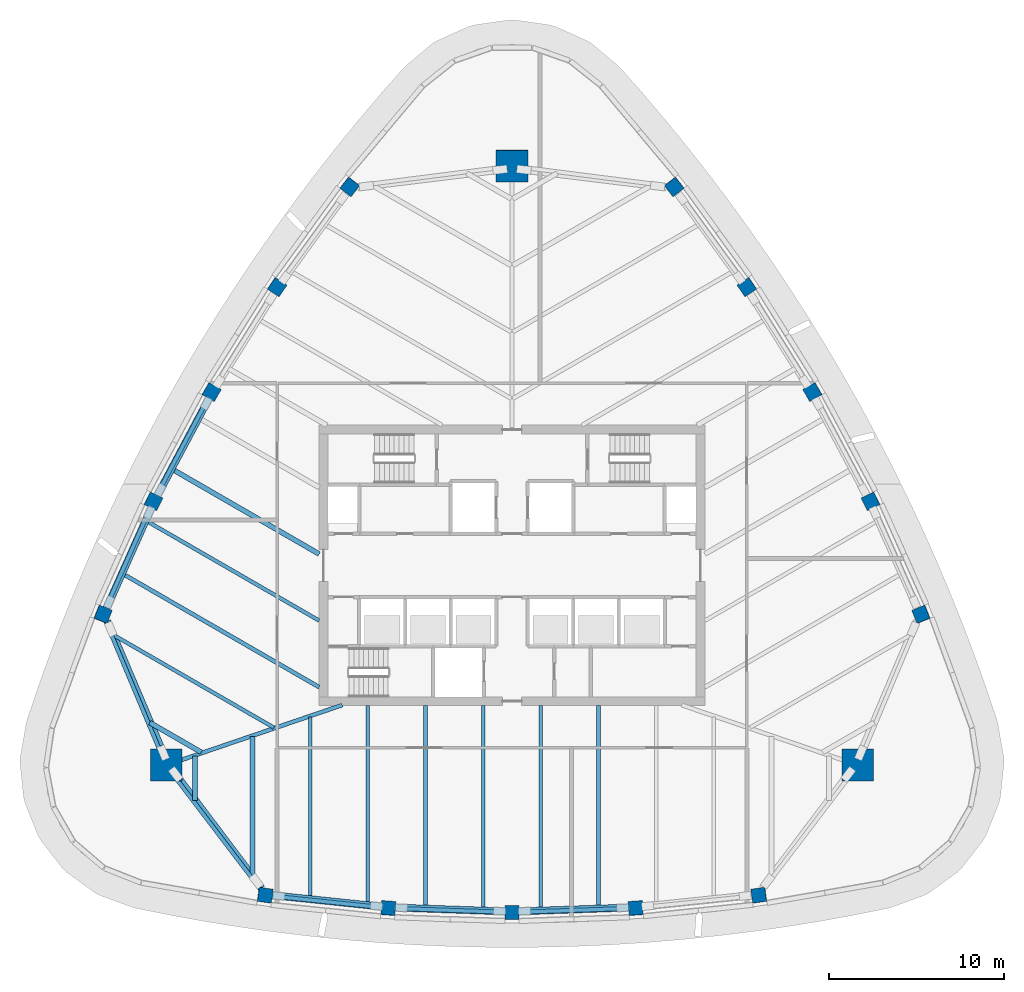
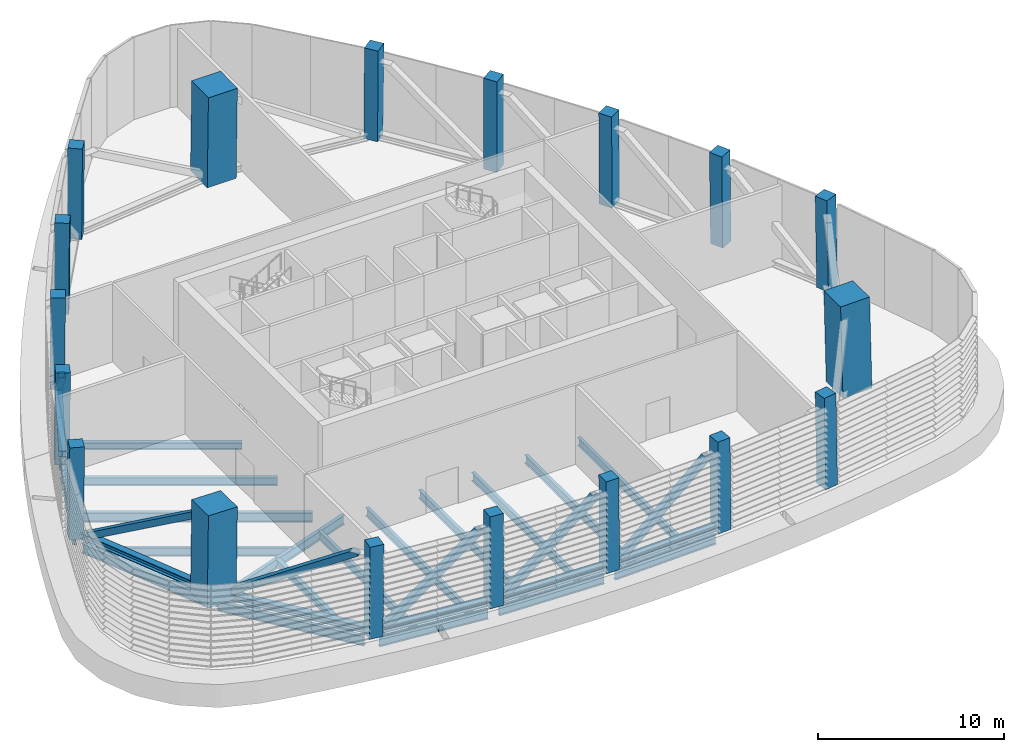
# One storey, part 1 of 15: 28 beams, 18 columns, 7 members.
"""IFC4 building model written with IfcOpenShell, lengths in metres."""

import ifcopenshell
import ifcopenshell.guid

model = None  # the IFC model being written
_history = None  # IfcOwnerHistory: only IFC2X3 demands one
_inside = {}  # id of a spatial element -> (the spatial element, [elements in it])
_under = {}  # id of a project, library or spatial element -> (it, [spatial elements below it])
_declared = {}  # id of a project -> (the project, [libraries it declares])
_typed = {}  # id of a type object -> (the type object, [elements of that type])
_made_of = {}  # id of a material, layer set ... -> (it, [elements and type objects made of it])


def new_model(schema):
    """Start an empty IFC model of exactly this schema.

    Asked for "IFC4X3", IfcOpenShell would pick the latest addendum, in which some entities
    have other attributes; the version numbers below select the first issue.
    IFC2X3 requires an IfcOwnerHistory on every rooted entity: one is made here for all.
    """
    global model, _history
    if schema == "IFC4X3":
        model = ifcopenshell.file(schema_version=(4, 3, 0, 0))
    else:
        model = ifcopenshell.file(schema=schema)
    _inside.clear()
    _under.clear()
    _declared.clear()
    _typed.clear()
    _made_of.clear()
    _history = None
    if model.schema == "IFC2X3":
        org = make("IfcOrganization", Name="unknown")
        user = make(
            "IfcPersonAndOrganization",
            ThePerson=make("IfcPerson", FamilyName="unknown"),
            TheOrganization=org,
        )
        app = make(
            "IfcApplication",
            ApplicationDeveloper=org,
            Version="unknown",
            ApplicationFullName="unknown",
            ApplicationIdentifier="unknown",
        )
        _history = make(
            "IfcOwnerHistory",
            OwningUser=user,
            OwningApplication=app,
            ChangeAction="ADDED",
            CreationDate=0,
        )
    return model


def make(cls, **values):
    """One entity of the class cls with the attributes given. An attribute that is None is left unset."""
    return model.create_entity(
        cls, **{name: value for name, value in values.items() if value is not None}
    )


def rooted(cls, **values):
    """An entity with a GlobalId (a new one), such as an element, a storey or a relation."""
    return make(cls, GlobalId=ifcopenshell.guid.new(), OwnerHistory=_history, **values)


def si_unit(unit_type, name, prefix=None):
    """IfcSIUnit, for example si_unit("LENGTHUNIT", "METRE", prefix="MILLI")."""
    return make("IfcSIUnit", UnitType=unit_type, Prefix=prefix, Name=name)


def assignment(units):
    """IfcUnitAssignment: the units of a project."""
    return None if units is None else make("IfcUnitAssignment", Units=units)


def point(xyz):
    """IfcCartesianPoint."""
    return None if xyz is None else make("IfcCartesianPoint", Coordinates=xyz)


def direction(xyz):
    """IfcDirection."""
    return None if xyz is None else make("IfcDirection", DirectionRatios=xyz)


def frame(location, z_axis=None, x_axis=None):
    """IfcAxis2Placement3D, a coordinate frame: its origin and axes. An axis left out is left unset."""
    return make(
        "IfcAxis2Placement3D",
        Location=point(location),
        Axis=direction(z_axis),
        RefDirection=direction(x_axis),
    )


def frame_2d(location, x_axis=None):
    """IfcAxis2Placement2D, a coordinate frame in the plane: its origin and x axis."""
    return make(
        "IfcAxis2Placement2D", Location=point(location), RefDirection=direction(x_axis)
    )


def origin():
    """The frame at (0, 0, 0) with its axes left unset."""
    return frame((0.0, 0.0, 0.0))


def origin_2d():
    """The frame at (0, 0) in the plane with its x axis left unset."""
    return frame_2d((0.0, 0.0))


def place(relative_to, where):
    """IfcLocalPlacement: puts the frame where relative to a parent placement (None: the world)."""
    return make(
        "IfcLocalPlacement", PlacementRelTo=relative_to, RelativePlacement=where
    )


def context(
    kind, dimensions, precision=None, world=None, true_north=None, identifier=None
):
    """IfcGeometricRepresentationContext, for example the 3D "Model" context."""
    return make(
        "IfcGeometricRepresentationContext",
        ContextIdentifier=identifier,
        ContextType=kind,
        CoordinateSpaceDimension=dimensions,
        Precision=precision,
        WorldCoordinateSystem=world,
        TrueNorth=true_north,
    )


def subcontext(parent, identifier, kind, view, scale=None):
    """IfcGeometricRepresentationSubContext, for example "Body" below "Model"."""
    return make(
        "IfcGeometricRepresentationSubContext",
        ContextIdentifier=identifier,
        ContextType=kind,
        ParentContext=parent,
        TargetScale=scale,
        TargetView=view,
    )


def project(units=None, contexts=None):
    """IfcProject with its units and contexts."""
    return rooted(
        "IfcProject",
        Name="project",
        RepresentationContexts=contexts,
        UnitsInContext=assignment(units),
    )


def spatial(cls, under=None, at=None, **own):
    """A site, building, storey or space (cls), placed at a placement, below another one or the project."""
    s = rooted(cls, ObjectPlacement=at, **own)
    if under is not None:
        _under.setdefault(under.id(), (under, []))[1].append(s)
    return s


def profile(cls, at=None, kind="AREA", **sizes):
    """A parametric profile (cls). Its sizes go by their IFC names, for example OverallWidth=200.0."""
    return make(cls, ProfileType=kind, Position=at, **sizes)


def rectangle(**sizes):
    """IfcRectangleProfileDef."""
    return profile("IfcRectangleProfileDef", **sizes)


def hollow_rectangle(**sizes):
    """IfcRectangleHollowProfileDef."""
    return profile("IfcRectangleHollowProfileDef", **sizes)


def i_section(**sizes):
    """IfcIShapeProfileDef."""
    return profile("IfcIShapeProfileDef", **sizes)


def extrude(swept, where, along, depth):
    """IfcExtrudedAreaSolid: the profile swept, set in the frame where, extruded along a direction by depth."""
    return make(
        "IfcExtrudedAreaSolid",
        SweptArea=swept,
        Position=where,
        ExtrudedDirection=direction(along),
        Depth=depth,
    )


def clip(a, b, op="DIFFERENCE"):
    """IfcBooleanClippingResult: the solid a cut by the half space b."""
    return make(
        "IfcBooleanClippingResult", Operator=op, FirstOperand=a, SecondOperand=b
    )


def halfspace(plane, agree):
    """IfcHalfSpaceSolid: all space on one side of the plane z = 0 of the frame plane."""
    return make(
        "IfcHalfSpaceSolid",
        BaseSurface=make("IfcPlane", Position=plane),
        AgreementFlag=agree,
    )


def shape(context_of_items, identifier, shape_type, items):
    """IfcShapeRepresentation: the items that make up one representation, for example the "Body"."""
    return make(
        "IfcShapeRepresentation",
        ContextOfItems=context_of_items,
        RepresentationIdentifier=identifier,
        RepresentationType=shape_type,
        Items=items,
    )


def material(Name=None, Category=None):
    """IfcMaterial."""
    return make("IfcMaterial", Name=Name, Category=Category)


def material_profile(
    of_material, cross_section, Name=None, Category=None, Priority=None
):
    """IfcMaterialProfile: a cross section and its material."""
    return make(
        "IfcMaterialProfile",
        Name=Name,
        Material=of_material,
        Profile=cross_section,
        Priority=Priority,
        Category=Category,
    )


def profile_set(profiles, Name=None, composite=None):
    """IfcMaterialProfileSet."""
    return make(
        "IfcMaterialProfileSet",
        Name=Name,
        MaterialProfiles=profiles,
        CompositeProfile=composite,
    )


def made_of(thing, what):
    """Note that an element or type object is made of a material, layer set ...; save() writes the relation."""
    if what is not None:
        _made_of.setdefault(what.id(), (what, []))[1].append(thing)
    return thing


def type_object(cls, material=None, **own):
    """A type object (cls), such as IfcWallType, which elements share."""
    return made_of(rooted(cls, **own), material)


def element(
    cls,
    number,
    at=None,
    inside=None,
    cuts=None,
    type_object=None,
    material=None,
    context=None,
    identifier="Body",
    shape_type=None,
    held_by="IfcProductDefinitionShape",
    body=None,
    shapes=None,
    **own,
):
    """One element of the class cls, such as IfcWall. Its Tag is "e" and its number.

    at: its placement. inside: the storey or other place that contains it. cuts: it is an
    opening in that element (IfcRelVoidsElement). A single representation is given by context,
    identifier, shape_type and body (its items); several are given by shapes. held_by: the class
    of the entity that holds the representations. save() writes the other relations.
    """
    e = rooted(cls, Tag="e%d" % number, ObjectPlacement=at, **own)
    if body is not None:
        shapes = [shape(context, identifier, shape_type, body)]
    if shapes is not None:
        e.Representation = make(held_by, Representations=shapes)
    if inside is not None:
        _inside.setdefault(inside.id(), (inside, []))[1].append(e)
    if cuts is not None:
        rooted(
            "IfcRelVoidsElement", RelatingBuildingElement=cuts, RelatedOpeningElement=e
        )
    if type_object is not None:
        _typed.setdefault(type_object.id(), (type_object, []))[1].append(e)
    return made_of(e, material)


def aggregate(whole, parts):
    """IfcRelAggregates: a whole, such as a stair, and the parts it consists of."""
    return rooted("IfcRelAggregates", RelatingObject=whole, RelatedObjects=parts)


def save(model, path):
    """Write the relations noted so far, then the file.

    IfcRelAggregates (storeys below a building ...), IfcRelContainedInSpatialStructure (elements
    in a storey), IfcRelDefinesByType, IfcRelAssociatesMaterial and IfcRelDeclares: one each for
    every whole, place, type object, material and project.
    """
    for whole, parts in _under.values():
        aggregate(whole, parts)
    for where, things in _inside.values():
        rooted(
            "IfcRelContainedInSpatialStructure",
            RelatedElements=things,
            RelatingStructure=where,
        )
    for kind, things in _typed.values():
        rooted("IfcRelDefinesByType", RelatedObjects=things, RelatingType=kind)
    for what, things in _made_of.values():
        rooted("IfcRelAssociatesMaterial", RelatedObjects=things, RelatingMaterial=what)
    for by, libraries in _declared.values():
        rooted("IfcRelDeclares", RelatingContext=by, RelatedDefinitions=libraries)
    model.write(path)


model = new_model("IFC4")

# Units and contexts
model_context = context("Model", 3, precision=1e-05, world=origin(), true_north=direction((0.0, 1.0)))
body_context = subcontext(model_context, "Body", "Model", "MODEL_VIEW")
ifc_project = project(units=[si_unit("LENGTHUNIT", "METRE"), si_unit("AREAUNIT", "SQUARE_METRE"), si_unit("VOLUMEUNIT", "CUBIC_METRE"), si_unit("PLANEANGLEUNIT", "RADIAN"), si_unit("MASSUNIT", "GRAM", prefix="KILO")], contexts=[model_context])

# Site, building, storey
site_placement = place(None, origin())
site = spatial("IfcSite", under=ifc_project, at=site_placement, CompositionType="ELEMENT")
building_placement = place(site_placement, origin())
building = spatial("IfcBuilding", under=site, at=building_placement, Name="Sierra Prisma Convention Tower", CompositionType="ELEMENT")
storey_placement = place(building_placement, frame((0.0, 0.0, 324.39990234375)))
storey = spatial("IfcBuildingStorey", under=building, at=storey_placement, Name="L74", CompositionType="ELEMENT", Elevation=324.39990234375)

# Columns
ifc_material_1 = material(Name="Concrete C50/60", Category="concrete")
ifc_material_profile_1 = material_profile(ifc_material_1, rectangle(XDim=1.800048828125, YDim=1.800048828125, at=origin_2d()), Name="Mega column RC 1800 C50/60")
ifc_profile_set_1 = profile_set([ifc_material_profile_1], Name="Concrete C50/60")
column_type_1 = type_object("IfcColumnType", Name="Mega column RC 1800 C50/60", PredefinedType="COLUMN", material=ifc_profile_set_1)
column_1_placement = place(storey_placement, frame((19.735107421875, -11.39404296875, 0.0), z_axis=(-0.018428439803, 0.010658391233, 0.999773369971), x_axis=(0.999830181884, 0.000196450882, 0.01842739267)))
element("IfcColumn", 1, at=column_1_placement, inside=storey, type_object=column_type_1, Name="Mega column SE L74", PredefinedType="COLUMN", context=body_context, shape_type="SweptSolid", body=[
    clip(clip(extrude(rectangle(XDim=1.800048828125, YDim=1.800048828125, at=origin_2d()), origin(), (0.0, 0.0, 1.0), 6.00146484375), halfspace(frame((0.0, 0.0, 0.001708984375)), True)), halfspace(frame((0.0, 0.0, 5.99658203125)), False)),
])
column_2_placement = place(storey_placement, frame((0.0, 22.7880859375, 0.0), z_axis=(0.0, -0.021276107287, 0.999773638009), x_axis=(1.0, 0.0, 0.0)))
element("IfcColumn", 2, at=column_2_placement, inside=storey, type_object=column_type_1, Name="Mega column N L74", PredefinedType="COLUMN", context=body_context, shape_type="SweptSolid", body=[
    clip(clip(extrude(rectangle(XDim=1.800048828125, YDim=1.800048828125, at=origin_2d()), origin(), (0.0, 0.0, 1.0), 6.00146484375), halfspace(frame((0.0, 0.0, 0.00146484375)), True)), halfspace(frame((0.0, 0.0, 5.997802734375)), False)),
])
column_3_placement = place(storey_placement, frame((-19.735107421875, -11.39404296875, 0.0), z_axis=(0.018428439803, 0.010658391233, 0.999773369971), x_axis=(0.999830181884, -0.000196450882, -0.01842739267)))
element("IfcColumn", 3, at=column_3_placement, inside=storey, type_object=column_type_1, Name="Mega column SW L74", PredefinedType="COLUMN", context=body_context, shape_type="SweptSolid", body=[
    clip(clip(extrude(rectangle(XDim=1.800048828125, YDim=1.800048828125, at=origin_2d()), origin(), (0.0, 0.0, 1.0), 6.00146484375), halfspace(frame((0.0, 0.0, 0.001708984375)), True)), halfspace(frame((0.0, 0.0, 5.99658203125)), False)),
])
ifc_material_2 = material(Name="Concrete C50/60", Category="concrete")
ifc_material_profile_2 = material_profile(ifc_material_2, rectangle(XDim=0.800048828125, YDim=0.800048828125, at=origin_2d()), Name="Perimeter column RC 800 C50/60")
ifc_profile_set_2 = profile_set([ifc_material_profile_2], Name="Concrete C50/60")
column_type_2 = type_object("IfcColumnType", Name="Perimeter column RC 800 C50/60", PredefinedType="COLUMN", material=ifc_profile_set_2)
column_4_placement = place(storey_placement, frame((-14.083740234375, -18.81591796875, 0.0), z_axis=(0.011595622608, 0.006916687169, 0.999908846333), x_axis=(-0.990384011146, 0.137944225334, 0.010530962112)))
element("IfcColumn", 4, at=column_4_placement, inside=storey, type_object=column_type_2, Name="Perimeter column S-1 L74", PredefinedType="COLUMN", context=body_context, shape_type="SweptSolid", body=[
    clip(clip(extrude(rectangle(XDim=0.800048828125, YDim=0.800048828125, at=origin_2d()), origin(), (0.0, 0.0, 1.0), 6.00048828125), halfspace(frame((0.0, 0.0, 0.000732421875)), True)), halfspace(frame((0.0, 0.0, 5.9990234375)), False)),
])
column_5_placement = place(storey_placement, frame((-7.058837890625, -19.54736328125, 0.0), z_axis=(0.005818425096, 0.007445956592, 0.999955350833), x_axis=(-0.997592967191, 0.069139636581, 0.005289845411)))
element("IfcColumn", 5, at=column_5_placement, inside=storey, type_object=column_type_2, Name="Perimeter column S-2 L74", PredefinedType="COLUMN", context=body_context, shape_type="SweptSolid", body=[
    clip(clip(extrude(rectangle(XDim=0.800048828125, YDim=0.800048828125, at=origin_2d()), origin(), (0.0, 0.0, 1.0), 6.000244140625), halfspace(frame((0.0, 0.0, 0.00048828125)), True)), halfspace(frame((0.0, 0.0, 5.9990234375)), False)),
])
column_6_placement = place(storey_placement, frame((0.0, -19.79150390625, 0.0), z_axis=(0.0, 0.007649515767, 0.999970742026), x_axis=(1.0, 0.0, 0.0)))
element("IfcColumn", 6, at=column_6_placement, inside=storey, type_object=column_type_2, Name="Perimeter column S-3 L74", PredefinedType="COLUMN", context=body_context, shape_type="SweptSolid", body=[
    clip(extrude(rectangle(XDim=0.800048828125, YDim=0.800048828125, at=origin_2d()), origin(), (0.0, 0.0, 1.0), 6.000244140625), halfspace(frame((0.0, 0.0, 5.999267578125)), False)),
])
column_7_placement = place(storey_placement, frame((7.058837890625, -19.54736328125, 0.0), z_axis=(-0.005818425096, 0.007445956592, 0.999955350833), x_axis=(0.997592967191, 0.069139636581, 0.005289845411)))
element("IfcColumn", 7, at=column_7_placement, inside=storey, type_object=column_type_2, Name="Perimeter column S-4 L74", PredefinedType="COLUMN", context=body_context, shape_type="SweptSolid", body=[
    clip(clip(extrude(rectangle(XDim=0.800048828125, YDim=0.800048828125, at=origin_2d()), origin(), (0.0, 0.0, 1.0), 6.000244140625), halfspace(frame((0.0, 0.0, 0.00048828125)), True)), halfspace(frame((0.0, 0.0, 5.9990234375)), False)),
])
for number, where, z_axis, x_axis, name in (
    (8, (14.083740234375, -18.81591796875, 0.0), (-0.011595622608, 0.006916687169, 0.999908846333), (0.990384011146, 0.137944225334, 0.010530962112), "Perimeter column S-5 L74"),
    (9, (23.3369140625, -2.7890625, 0.0), (-0.011758371692, 0.006591197973, 0.999909144275), (-0.375802058103, 0.926640159942, -0.010527445504), "Perimeter column NE-1 L74"),
):
    element("IfcColumn", number, at=place(storey_placement, frame(where, z_axis=z_axis, x_axis=x_axis)), inside=storey, type_object=column_type_2, Name=name, PredefinedType="COLUMN", context=body_context, shape_type="SweptSolid", body=[
        clip(clip(extrude(rectangle(XDim=0.800048828125, YDim=0.800048828125, at=origin_2d()), origin(), (0.0, 0.0, 1.0), 6.00048828125), halfspace(frame((0.0, 0.0, 0.000732421875)), True)), halfspace(frame((0.0, 0.0, 5.9990234375)), False)),
    ])
column_8_placement = place(storey_placement, frame((20.457763671875, 3.660400390625, 0.0), z_axis=(-0.009358305704, 0.001342713427, 0.999955308619), x_axis=(-0.438944794557, 0.898498316097, -0.005314442838)))
element("IfcColumn", 10, at=column_8_placement, inside=storey, type_object=column_type_2, Name="Perimeter column NE-2 L74", PredefinedType="COLUMN", context=body_context, shape_type="SweptSolid", body=[
    clip(clip(extrude(rectangle(XDim=0.800048828125, YDim=0.800048828125, at=origin_2d()), origin(), (0.0, 0.0, 1.0), 6.000244140625), halfspace(frame((0.0, 0.0, 0.00048828125)), True)), halfspace(frame((0.0, 0.0, 5.9990234375)), False)),
])
column_9_placement = place(storey_placement, frame((17.139892578125, 9.895751953125, 0.0), z_axis=(-0.006591605453, -0.00382475872, 0.999970960558), x_axis=(-0.499989137566, 0.866031674963, 1.6631558e-05)))
element("IfcColumn", 11, at=column_9_placement, inside=storey, type_object=column_type_2, Name="Perimeter column NE-3 L74", PredefinedType="COLUMN", context=body_context, shape_type="SweptSolid", body=[
    clip(extrude(rectangle(XDim=0.800048828125, YDim=0.800048828125, at=origin_2d()), origin(), (0.0, 0.0, 1.0), 6.000244140625), halfspace(frame((0.0, 0.0, 5.999267578125)), False)),
])
column_10_placement = place(storey_placement, frame((13.39892578125, 15.88671875, 0.0), z_axis=(-0.003539881425, -0.008747982831, 0.999955470026), x_axis=(-0.558642337024, 0.829391873453, 0.005278213276)))
element("IfcColumn", 12, at=column_10_placement, inside=storey, type_object=column_type_2, Name="Perimeter column NE-4 L74", PredefinedType="COLUMN", context=body_context, shape_type="SweptSolid", body=[
    clip(clip(extrude(rectangle(XDim=0.800048828125, YDim=0.800048828125, at=origin_2d()), origin(), (0.0, 0.0, 1.0), 6.000244140625), halfspace(frame((0.0, 0.0, 0.00048828125)), True)), halfspace(frame((0.0, 0.0, 5.9990234375)), False)),
])
for number, where, z_axis, x_axis, name in (
    (13, (9.253173828125, 21.60498046875, 0.0), (-0.000162745565, -0.013507881892, 0.999908751157), (-0.614622552615, 0.788750723435, 0.010555287678), "Perimeter column NE-5 L74"),
    (14, (-9.253173828125, 21.60498046875, 0.0), (0.000162745565, -0.013507881892, 0.999908751157), (0.614622552615, 0.788750723435, 0.010555287678), "Perimeter column NW-1 L74"),
):
    element("IfcColumn", number, at=place(storey_placement, frame(where, z_axis=z_axis, x_axis=x_axis)), inside=storey, type_object=column_type_2, Name=name, PredefinedType="COLUMN", context=body_context, shape_type="SweptSolid", body=[
        clip(clip(extrude(rectangle(XDim=0.800048828125, YDim=0.800048828125, at=origin_2d()), origin(), (0.0, 0.0, 1.0), 6.00048828125), halfspace(frame((0.0, 0.0, 0.000732421875)), True)), halfspace(frame((0.0, 0.0, 5.9990234375)), False)),
    ])
column_11_placement = place(storey_placement, frame((-13.39892578125, 15.88671875, 0.0), z_axis=(0.003539881425, -0.008747982831, 0.999955470026), x_axis=(0.558642337024, 0.829391873453, 0.005278213276)))
element("IfcColumn", 15, at=column_11_placement, inside=storey, type_object=column_type_2, Name="Perimeter column NW-2 L74", PredefinedType="COLUMN", context=body_context, shape_type="SweptSolid", body=[
    clip(clip(extrude(rectangle(XDim=0.800048828125, YDim=0.800048828125, at=origin_2d()), origin(), (0.0, 0.0, 1.0), 6.000244140625), halfspace(frame((0.0, 0.0, 0.00048828125)), True)), halfspace(frame((0.0, 0.0, 5.9990234375)), False)),
])
column_12_placement = place(storey_placement, frame((-17.139892578125, 9.895751953125, 0.0), z_axis=(0.006591605453, -0.00382475872, 0.999970960558), x_axis=(0.499989137566, 0.866031674963, 1.6631558e-05)))
element("IfcColumn", 16, at=column_12_placement, inside=storey, type_object=column_type_2, Name="Perimeter column NW-3 L74", PredefinedType="COLUMN", context=body_context, shape_type="SweptSolid", body=[
    clip(extrude(rectangle(XDim=0.800048828125, YDim=0.800048828125, at=origin_2d()), origin(), (0.0, 0.0, 1.0), 6.000244140625), halfspace(frame((0.0, 0.0, 5.999267578125)), False)),
])
column_13_placement = place(storey_placement, frame((-20.457763671875, 3.660400390625, 0.0), z_axis=(0.009358305704, 0.001342713427, 0.999955308619), x_axis=(0.438944794557, 0.898498316097, -0.005314442838)))
element("IfcColumn", 17, at=column_13_placement, inside=storey, type_object=column_type_2, Name="Perimeter column NW-4 L74", PredefinedType="COLUMN", context=body_context, shape_type="SweptSolid", body=[
    clip(clip(extrude(rectangle(XDim=0.800048828125, YDim=0.800048828125, at=origin_2d()), origin(), (0.0, 0.0, 1.0), 6.000244140625), halfspace(frame((0.0, 0.0, 0.00048828125)), True)), halfspace(frame((0.0, 0.0, 5.9990234375)), False)),
])
column_14_placement = place(storey_placement, frame((-23.3369140625, -2.7890625, 0.0), z_axis=(0.011758371692, 0.006591197973, 0.999909144275), x_axis=(0.375802058103, 0.926640159942, -0.010527445504)))
element("IfcColumn", 18, at=column_14_placement, inside=storey, type_object=column_type_2, Name="Perimeter column NW-5 L74", PredefinedType="COLUMN", context=body_context, shape_type="SweptSolid", body=[
    clip(clip(extrude(rectangle(XDim=0.800048828125, YDim=0.800048828125, at=origin_2d()), origin(), (0.0, 0.0, 1.0), 6.00048828125), halfspace(frame((0.0, 0.0, 0.000732421875)), True)), halfspace(frame((0.0, 0.0, 5.9990234375)), False)),
])

# Beams
ifc_material_3 = material(Name="Steel ASTM A992 Gr 50", Category="steel")
ifc_material_profile_3 = material_profile(ifc_material_3, i_section(OverallWidth=0.280029296875, OverallDepth=0.462890625, WebThickness=0.0107421875, FlangeThickness=0.017333984375, at=origin_2d()), Name="W460x113")
ifc_profile_set_3 = profile_set([ifc_material_profile_3], Name="Steel ASTM A992 Gr 50")
beam_type_1 = type_object("IfcBeamType", Name="Plant floor joist W460x113", PredefinedType="JOIST", material=ifc_profile_set_3)
beam_1_placement = place(storey_placement, frame((-18.090576171875, -13.4140625, -0.4814453125), z_axis=(0.0, 1.0, 0.0), x_axis=(-1.0, 0.0, 0.0)))
element("IfcBeam", 19, at=beam_1_placement, inside=storey, type_object=beam_type_1, Name="Floor joist L74 S01", PredefinedType="JOIST", context=body_context, shape_type="SweptSolid", body=[
    extrude(i_section(OverallWidth=0.280029296875, OverallDepth=0.462890625, WebThickness=0.0107421875, FlangeThickness=0.017333984375, at=origin_2d()), origin(), (0.0, 0.0, 1.0), 2.53369140625),
])
beam_2_placement = place(storey_placement, frame((-14.80126953125, -17.73388671875, -0.4814453125), z_axis=(0.0, 1.0, 0.0), x_axis=(-1.0, 0.0, 0.0)))
element("IfcBeam", 20, at=beam_2_placement, inside=storey, type_object=beam_type_1, Name="Floor joist L74 S02", PredefinedType="JOIST", context=body_context, shape_type="SweptSolid", body=[
    extrude(i_section(OverallWidth=0.280029296875, OverallDepth=0.462890625, WebThickness=0.0107421875, FlangeThickness=0.017333984375, at=origin_2d()), origin(), (0.0, 0.0, 1.0), 7.97705078125),
])
beam_3_placement = place(storey_placement, frame((-19.402587890625, 5.505126953125, -0.4814453125), z_axis=(0.866021745135, -0.500006336914, 0.0), x_axis=(0.500006336914, 0.866021745135, 0.0)))
element("IfcBeam", 21, at=beam_3_placement, inside=storey, type_object=beam_type_1, Name="Floor joist L74 NW08", PredefinedType="JOIST", context=body_context, shape_type="SweptSolid", body=[
    extrude(i_section(OverallWidth=0.280029296875, OverallDepth=0.462890625, WebThickness=0.0107421875, FlangeThickness=0.017333984375, at=origin_2d()), origin(), (0.0, 0.0, 1.0), 9.702392578125),
])
beam_4_placement = place(storey_placement, frame((-20.662109375, -8.959716796875, -0.4814453125), z_axis=(0.866035946581, -0.499981738895, 0.0), x_axis=(0.499981738895, 0.866035946581, 0.0)))
element("IfcBeam", 22, at=beam_4_placement, inside=storey, type_object=beam_type_1, Name="Floor joist L74 NW12", PredefinedType="JOIST", context=body_context, shape_type="SweptSolid", body=[
    extrude(i_section(OverallWidth=0.280029296875, OverallDepth=0.462890625, WebThickness=0.0107421875, FlangeThickness=0.017333984375, at=origin_2d()), origin(), (0.0, 0.0, 1.0), 3.396240234375),
])
ifc_material_4 = material(Name="Steel ASTM A992 Gr 50", Category="steel")
ifc_material_profile_4 = material_profile(ifc_material_4, i_section(OverallWidth=0.2119140625, OverallDepth=0.5439453125, WebThickness=0.01318359375, FlangeThickness=0.021240234375, at=origin_2d()), Name="W530x123")
ifc_profile_set_4 = profile_set([ifc_material_profile_4], Name="Steel ASTM A992 Gr 50")
beam_type_2 = type_object("IfcBeamType", Name="Plant floor joist W530x123", PredefinedType="JOIST", material=ifc_profile_set_4)
beam_5_placement = place(storey_placement, frame((-11.51220703125, -19.01806640625, -0.52197265625), z_axis=(0.0, 1.0, 0.0), x_axis=(-1.0, 0.0, 0.0)))
element("IfcBeam", 23, at=beam_5_placement, inside=storey, type_object=beam_type_2, Name="Floor joist L74 S03", PredefinedType="JOIST", context=body_context, shape_type="SweptSolid", body=[
    extrude(i_section(OverallWidth=0.2119140625, OverallDepth=0.5439453125, WebThickness=0.01318359375, FlangeThickness=0.021240234375, at=origin_2d()), origin(), (0.0, 0.0, 1.0), 10.385009765625),
])
beam_6_placement = place(storey_placement, frame((-8.222900390625, -19.360595703125, -0.52197265625), z_axis=(0.0, 1.0, 0.0), x_axis=(-1.0, 0.0, 0.0)))
element("IfcBeam", 24, at=beam_6_placement, inside=storey, type_object=beam_type_2, Name="Floor joist L74 S04", PredefinedType="JOIST", context=body_context, shape_type="SweptSolid", body=[
    extrude(i_section(OverallWidth=0.2119140625, OverallDepth=0.5439453125, WebThickness=0.01318359375, FlangeThickness=0.021240234375, at=origin_2d()), origin(), (0.0, 0.0, 1.0), 11.360595703125),
])
beam_7_placement = place(storey_placement, frame((-4.933837890625, -19.5556640625, -0.52197265625), z_axis=(0.0, 1.0, 0.0), x_axis=(-1.0, 0.0, 0.0)))
element("IfcBeam", 25, at=beam_7_placement, inside=storey, type_object=beam_type_2, Name="Floor joist L74 S05", PredefinedType="JOIST", context=body_context, shape_type="SweptSolid", body=[
    extrude(i_section(OverallWidth=0.2119140625, OverallDepth=0.5439453125, WebThickness=0.01318359375, FlangeThickness=0.021240234375, at=origin_2d()), origin(), (0.0, 0.0, 1.0), 11.5556640625),
])
for number, where, z_axis, x_axis, name in (
    (26, (-1.64453125, -19.66943359375, -0.52197265625), (0.0, 1.0, 0.0), (-1.0, 0.0, 0.0), "Floor joist L74 S06"),
    (27, (1.64453125, -19.66943359375, -0.52197265625), (0.0, 1.0, 0.0), (-1.0, 0.0, 0.0), "Floor joist L74 S07"),
):
    element("IfcBeam", number, at=place(storey_placement, frame(where, z_axis=z_axis, x_axis=x_axis)), inside=storey, type_object=beam_type_2, Name=name, PredefinedType="JOIST", context=body_context, shape_type="SweptSolid", body=[
        extrude(i_section(OverallWidth=0.2119140625, OverallDepth=0.5439453125, WebThickness=0.01318359375, FlangeThickness=0.021240234375, at=origin_2d()), origin(), (0.0, 0.0, 1.0), 11.66943359375),
    ])
beam_8_placement = place(storey_placement, frame((4.933837890625, -19.5556640625, -0.52197265625), z_axis=(0.0, 1.0, 0.0), x_axis=(-1.0, 0.0, 0.0)))
element("IfcBeam", 28, at=beam_8_placement, inside=storey, type_object=beam_type_2, Name="Floor joist L74 S08", PredefinedType="JOIST", context=body_context, shape_type="SweptSolid", body=[
    extrude(i_section(OverallWidth=0.2119140625, OverallDepth=0.5439453125, WebThickness=0.01318359375, FlangeThickness=0.021240234375, at=origin_2d()), origin(), (0.0, 0.0, 1.0), 11.5556640625),
])
beam_9_placement = place(storey_placement, frame((-20.878173828125, 2.558837890625, -0.52197265625), z_axis=(0.866026972346, -0.499997283162, 0.0), x_axis=(0.499997283162, 0.866026972346, 0.0)))
element("IfcBeam", 29, at=beam_9_placement, inside=storey, type_object=beam_type_2, Name="Floor joist L74 NW09", PredefinedType="JOIST", context=body_context, shape_type="SweptSolid", body=[
    extrude(i_section(OverallWidth=0.2119140625, OverallDepth=0.5439453125, WebThickness=0.01318359375, FlangeThickness=0.021240234375, at=origin_2d()), origin(), (0.0, 0.0, 1.0), 11.40625),
])
beam_10_placement = place(storey_placement, frame((-22.758544921875, -3.951416015625, -0.52197265625), z_axis=(0.866029704776, -0.49999255039, 0.0), x_axis=(0.49999255039, 0.866029704776, 0.0)))
element("IfcBeam", 30, at=beam_10_placement, inside=storey, type_object=beam_type_2, Name="Floor joist L74 NW11", PredefinedType="JOIST", context=body_context, shape_type="SweptSolid", body=[
    extrude(i_section(OverallWidth=0.2119140625, OverallDepth=0.5439453125, WebThickness=0.01318359375, FlangeThickness=0.021240234375, at=origin_2d()), origin(), (0.0, 0.0, 1.0), 10.589111328125),
])
ifc_material_5 = material(Name="Steel ASTM A992 Gr 50", Category="steel")
ifc_material_profile_5 = material_profile(ifc_material_5, i_section(OverallWidth=0.22900390625, OverallDepth=0.612060546875, WebThickness=0.011962890625, FlangeThickness=0.01953125, at=origin_2d()), Name="W610x125")
ifc_profile_set_5 = profile_set([ifc_material_profile_5], Name="Steel ASTM A992 Gr 50")
beam_type_3 = type_object("IfcBeamType", Name="Plant floor joist W610x125", PredefinedType="JOIST", material=ifc_profile_set_5)
beam_11_placement = place(storey_placement, frame((-22.22607421875, -0.460693359375, -0.555908203125), z_axis=(0.866023120914, -0.500003954026, 0.0), x_axis=(0.500003954026, 0.866023120914, 0.0)))
element("IfcBeam", 31, at=beam_11_placement, inside=storey, type_object=beam_type_3, Name="Floor joist L74 NW10", PredefinedType="JOIST", context=body_context, shape_type="SweptSolid", body=[
    extrude(i_section(OverallWidth=0.22900390625, OverallDepth=0.612060546875, WebThickness=0.011962890625, FlangeThickness=0.01953125, at=origin_2d()), origin(), (0.0, 0.0, 1.0), 12.962890625),
])
ifc_material_6 = material(Name="Steel ASTM A992 Gr 50", Category="steel")
ifc_material_profile_6 = material_profile(ifc_material_6, i_section(OverallWidth=0.22802734375, OverallDepth=0.60302734375, WebThickness=0.010498046875, FlangeThickness=0.014892578125, at=origin_2d()), Name="W610x101")
ifc_profile_set_6 = profile_set([ifc_material_profile_6], Name="Steel ASTM A992 Gr 50")
beam_type_4 = type_object("IfcBeamType", Name="Radial girder W610x101", PredefinedType="BEAM", material=ifc_profile_set_6)
beam_12_placement = place(storey_placement, frame((-19.51513671875, -11.31884765625, -0.551513671875), z_axis=(0.946304086919, 0.323277860485, 0.0), x_axis=(-0.323277860485, 0.946304086919, 0.0)))
element("IfcBeam", 32, at=beam_12_placement, inside=storey, type_object=beam_type_4, Name="Radial girder L74 SW", PredefinedType="BEAM", context=body_context, shape_type="SweptSolid", body=[
    extrude(i_section(OverallWidth=0.22802734375, OverallDepth=0.60302734375, WebThickness=0.010498046875, FlangeThickness=0.014892578125, at=origin_2d()), origin(), (0.0, 0.0, 1.0), 10.38623046875),
])
ifc_material_7 = material(Name="Steel ASTM A992 Gr 50", Category="steel")
ifc_material_profile_7 = material_profile(ifc_material_7, i_section(OverallWidth=0.22998046875, OverallDepth=0.616943359375, WebThickness=0.01318359375, FlangeThickness=0.022216796875, at=origin_2d()), Name="W610x140")
ifc_profile_set_7 = profile_set([ifc_material_profile_7], Name="Steel ASTM A992 Gr 50")
beam_type_5 = type_object("IfcBeamType", Name="Spandrel beam W610x140", PredefinedType="BEAM", material=ifc_profile_set_7)
beam_13_placement = place(storey_placement, frame((-19.567626953125, -11.614013671875, -0.558349609375), z_axis=(0.605803682973, -0.795614163836, 0.0), x_axis=(0.795614163836, 0.605803682973, 0.0)))
element("IfcBeam", 33, at=beam_13_placement, inside=storey, type_object=beam_type_5, Name="Spandrel L74-01", PredefinedType="BEAM", context=body_context, shape_type="SweptSolid", body=[
    extrude(i_section(OverallWidth=0.22998046875, OverallDepth=0.616943359375, WebThickness=0.01318359375, FlangeThickness=0.022216796875, at=origin_2d()), origin(), (0.0, 0.0, 1.0), 8.5380859375),
])
for number, where, z_axis, x_axis, name in (
    (34, (-13.75537109375, -18.85009765625, -0.558349609375), (0.994622664898, -0.103565218443, 0.0), (0.103565218443, 0.994622664898, 0.0), "Spandrel L74-02"),
    (35, (-6.728759765625, -19.55859375, -0.558349609375), (0.999401734711, -0.034585729077, 0.0), (0.034585729077, 0.999401734711, 0.0), "Spandrel L74-03"),
    (36, (0.330078125, -19.780029296875, -0.558349609375), (0.999401734711, 0.034585729077, 0.0), (-0.034585729077, 0.999401734711, 0.0), "Spandrel L74-04"),
    (37, (-17.295166015625, 9.604248046875, -0.558349609375), (-0.469750829898, -0.882799047241, 0.0), (0.882799047241, -0.469750829898, 0.0), "Spandrel L74-16"),
):
    element("IfcBeam", number, at=place(storey_placement, frame(where, z_axis=z_axis, x_axis=x_axis)), inside=storey, type_object=beam_type_5, Name=name, PredefinedType="BEAM", context=body_context, shape_type="SweptSolid", body=[
        extrude(i_section(OverallWidth=0.22998046875, OverallDepth=0.616943359375, WebThickness=0.01318359375, FlangeThickness=0.022216796875, at=origin_2d()), origin(), (0.0, 0.0, 1.0), 6.402587890625),
    ])
beam_14_placement = place(storey_placement, frame((-20.592529296875, 3.35888671875, -0.558349609375), z_axis=(-0.407645162446, -0.913140417206, 0.0), x_axis=(0.913140417206, -0.407645162446, 0.0)))
element("IfcBeam", 38, at=beam_14_placement, inside=storey, type_object=beam_type_5, Name="Spandrel L74-17", PredefinedType="BEAM", context=body_context, shape_type="SweptSolid", body=[
    extrude(i_section(OverallWidth=0.22998046875, OverallDepth=0.616943359375, WebThickness=0.01318359375, FlangeThickness=0.022216796875, at=origin_2d()), origin(), (0.0, 0.0, 1.0), 6.40234375),
])
beam_15_placement = place(storey_placement, frame((-23.138427734375, -3.26318359375, -0.558349609375), z_axis=(0.386112737884, -0.922451599621, 0.0), x_axis=(0.922451599621, 0.386112737884, 0.0)))
element("IfcBeam", 39, at=beam_15_placement, inside=storey, type_object=beam_type_5, Name="Spandrel L74-18", PredefinedType="BEAM", context=body_context, shape_type="SweptSolid", body=[
    extrude(i_section(OverallWidth=0.22998046875, OverallDepth=0.616943359375, WebThickness=0.01318359375, FlangeThickness=0.022216796875, at=origin_2d()), origin(), (0.0, 0.0, 1.0), 8.575927734375),
])
ifc_material_8 = material(Name="Steel ASTM A992 Gr 50", Category="steel")
ifc_material_profile_8 = material_profile(ifc_material_8, i_section(OverallWidth=0.404052734375, OverallDepth=0.406982421875, WebThickness=0.027099609375, FlangeThickness=0.04443359375, at=origin_2d()), Name="W360x347")
ifc_profile_set_8 = profile_set([ifc_material_profile_8], Name="Steel ASTM A992 Gr 50")
beam_type_6 = type_object("IfcBeamType", Name="Truss chord W360x347", PredefinedType="BEAM", material=ifc_profile_set_8)
beam_16_placement = place(storey_placement, frame((-19.48876953125, -11.510009765625, 0.20361328125), z_axis=(0.601840588334, -0.798616244659, 0.0), x_axis=(0.798616244659, 0.601840588334, 0.0)))
element("IfcBeam", 40, at=beam_16_placement, inside=storey, type_object=beam_type_6, Name="Belt truss L74-01 bottom chord 1", PredefinedType="BEAM", context=body_context, shape_type="SweptSolid", body=[
    extrude(i_section(OverallWidth=0.404052734375, OverallDepth=0.406982421875, WebThickness=0.027099609375, FlangeThickness=0.04443359375, at=origin_2d()), origin(), (0.0, 0.0, 1.0), 8.6513671875),
])
beam_17_placement = place(storey_placement, frame((-13.735595703125, -18.803466796875, 0.20361328125), z_axis=(0.994617598504, -0.103613863677, 0.0), x_axis=(0.103613863677, 0.994617598504, 0.0)))
element("IfcBeam", 41, at=beam_17_placement, inside=storey, type_object=beam_type_6, Name="Belt truss L74-02 bottom chord 1", PredefinedType="BEAM", context=body_context, shape_type="SweptSolid", body=[
    extrude(i_section(OverallWidth=0.404052734375, OverallDepth=0.406982421875, WebThickness=0.027099609375, FlangeThickness=0.04443359375, at=origin_2d()), origin(), (0.0, 0.0, 1.0), 6.468017578125),
])
for number, where, z_axis, x_axis, name in (
    (42, (-6.743896484375, -19.51220703125, 0.20361328125), (0.99940074259, -0.034614385895, 0.0), (0.034614385895, 0.99940074259, 0.0), "Belt truss L74-03 bottom chord 1"),
    (43, (0.280029296875, -19.736083984375, 0.20361328125), (0.99940074259, 0.034614385895, 0.0), (-0.034614385895, 0.99940074259, 0.0), "Belt truss L74-04 bottom chord 1"),
    (44, (-17.23193359375, 9.62548828125, 0.20361328125), (-0.469733790887, -0.882808113748, 0.0), (0.882808113748, -0.469733790887, 0.0), "Belt truss L74-16 bottom chord 1"),
    (45, (-20.515869140625, 3.41259765625, 0.20361328125), (-0.40760194114, -0.913159710883, 0.0), (0.913159710883, -0.40760194114, 0.0), "Belt truss L74-17 bottom chord 1"),
):
    element("IfcBeam", number, at=place(storey_placement, frame(where, z_axis=z_axis, x_axis=x_axis)), inside=storey, type_object=beam_type_6, Name=name, PredefinedType="BEAM", context=body_context, shape_type="SweptSolid", body=[
        extrude(i_section(OverallWidth=0.404052734375, OverallDepth=0.406982421875, WebThickness=0.027099609375, FlangeThickness=0.04443359375, at=origin_2d()), origin(), (0.0, 0.0, 1.0), 6.4677734375),
    ])
beam_18_placement = place(storey_placement, frame((-23.09228515625, -3.158935546875, 0.20361328125), z_axis=(0.390685621204, -0.920524168821, 0.0), x_axis=(0.920524168821, 0.390685621204, 0.0)))
element("IfcBeam", 46, at=beam_18_placement, inside=storey, type_object=beam_type_6, Name="Belt truss L74-18 bottom chord 1", PredefinedType="BEAM", context=body_context, shape_type="SweptSolid", body=[
    extrude(i_section(OverallWidth=0.404052734375, OverallDepth=0.406982421875, WebThickness=0.027099609375, FlangeThickness=0.04443359375, at=origin_2d()), origin(), (0.0, 0.0, 1.0), 8.68115234375),
])

# Members
ifc_material_9 = material(Name="Steel ASTM A500 Gr C", Category="steel")
ifc_material_profile_9 = material_profile(ifc_material_9, hollow_rectangle(XDim=0.406005859375, YDim=0.406005859375, WallThickness=0.01904296875, at=origin_2d()), Name="Truss diagonal HSS 406x406x19")
ifc_profile_set_9 = profile_set([ifc_material_profile_9], Name="Steel ASTM A500 Gr C")
member_type = type_object("IfcMemberType", Name="Truss diagonal HSS 406x406x19", PredefinedType="BRACE", material=ifc_profile_set_9)
member_1_placement = place(storey_placement, frame((-19.184326171875, -11.9140625, 0.406982421875), z_axis=(0.511827884132, -0.679157798782, 0.526095905115), x_axis=(0.798609639319, 0.601849353233, 0.0)))
element("IfcMember", 47, at=member_1_placement, inside=storey, type_object=member_type, Name="Belt truss L74-01 diagonal 1", PredefinedType="BRACE", context=body_context, shape_type="SweptSolid", body=[
    clip(clip(extrude(hollow_rectangle(XDim=0.406005859375, YDim=0.406005859375, WallThickness=0.01904296875, at=origin_2d()), origin(), (0.0, 0.0, 1.0), 8.9833984375), halfspace(frame((0.0, 0.012939453125, 0.008056640625), z_axis=(0.0, 0.850425245757, 0.526095905115), x_axis=(1.0, 0.0, 0.0)), True)), halfspace(frame((0.0, -0.0126953125, 8.975341796875), z_axis=(0.0, -0.850425245757, -0.526095905115), x_axis=(1.0, 0.0, 0.0)), True)),
])
member_2_placement = place(storey_placement, frame((-13.302978515625, -18.8486328125, 0.406982421875), z_axis=(0.759994649744, -0.079145281643, 0.645092362964), x_axis=(0.103579119148, 0.994621217387, 0.0)))
element("IfcMember", 48, at=member_2_placement, inside=storey, type_object=member_type, Name="Belt truss L74-02 diagonal 1", PredefinedType="BRACE", context=body_context, shape_type="SweptSolid", body=[
    clip(clip(extrude(hollow_rectangle(XDim=0.406005859375, YDim=0.406005859375, WallThickness=0.01904296875, at=origin_2d()), origin(), (0.0, 0.0, 1.0), 7.326171875), halfspace(frame((0.0, 0.01171875, 0.009521484375), z_axis=(0.0, 0.764104602293, 0.645092362964), x_axis=(1.0, 0.0, 0.0)), True)), halfspace(frame((0.0, -0.011474609375, 7.316650390625), z_axis=(0.0, -0.764104602293, -0.645092362964), x_axis=(1.0, 0.0, 0.0)), True)),
])
for number, where, z_axis, x_axis, name in (
    (49, (-6.309326171875, -19.52734375, 0.406982421875), (0.763652844532, -0.026425934095, 0.645086043134), (0.034583942427, 0.999401796539, 0.0), "Belt truss L74-03 diagonal 1"),
    (50, (0.714599609375, -19.720947265625, 0.406982421875), (0.763652844532, 0.026425934095, 0.645086043134), (-0.034583942427, 0.999401796539, 0.0), "Belt truss L74-04 diagonal 1"),
):
    element("IfcMember", number, at=place(storey_placement, frame(where, z_axis=z_axis, x_axis=x_axis)), inside=storey, type_object=member_type, Name=name, PredefinedType="BRACE", context=body_context, shape_type="SweptSolid", body=[
        clip(clip(extrude(hollow_rectangle(XDim=0.406005859375, YDim=0.406005859375, WallThickness=0.01904296875, at=origin_2d()), origin(), (0.0, 0.0, 1.0), 7.326171875), halfspace(frame((0.0, 0.011474609375, 0.009765625), z_axis=(0.0, 0.764109937741, 0.645086043134), x_axis=(1.0, 0.0, 0.0)), True)), halfspace(frame((0.0, -0.011474609375, 7.316650390625), z_axis=(0.0, -0.764109937741, -0.645086043134), x_axis=(1.0, 0.0, 0.0)), True)),
    ])
member_3_placement = place(storey_placement, frame((-17.43603515625, 9.24169921875, 0.406982421875), z_axis=(-0.358957560748, -0.674561632215, 0.645070596079), x_axis=(0.882791973686, -0.469764122934, 0.0)))
element("IfcMember", 51, at=member_3_placement, inside=storey, type_object=member_type, Name="Belt truss L74-16 diagonal 1", PredefinedType="BRACE", context=body_context, shape_type="SweptSolid", body=[
    clip(clip(extrude(hollow_rectangle(XDim=0.406005859375, YDim=0.406005859375, WallThickness=0.01904296875, at=origin_2d()), origin(), (0.0, 0.0, 1.0), 7.326416015625), halfspace(frame((0.0, 0.011474609375, 0.009765625), z_axis=(0.0, 0.764122978371, 0.645070596079), x_axis=(1.0, 0.0, 0.0)), True)), halfspace(frame((0.0, -0.011474609375, 7.31689453125), z_axis=(0.0, -0.764122978371, -0.645070596079), x_axis=(1.0, 0.0, 0.0)), True)),
])
member_4_placement = place(storey_placement, frame((-20.693115234375, 3.015625, 0.406982421875), z_axis=(-0.311443096944, -0.697764498921, 0.645079763604), x_axis=(0.91316657912, -0.407586553725, 0.0)))
element("IfcMember", 52, at=member_4_placement, inside=storey, type_object=member_type, Name="Belt truss L74-17 diagonal 1", PredefinedType="BRACE", context=body_context, shape_type="SweptSolid", body=[
    clip(clip(extrude(hollow_rectangle(XDim=0.406005859375, YDim=0.406005859375, WallThickness=0.01904296875, at=origin_2d()), origin(), (0.0, 0.0, 1.0), 7.326416015625), halfspace(frame((0.0, 0.011474609375, 0.009765625), z_axis=(0.0, 0.764115239076, 0.645079763604), x_axis=(1.0, 0.0, 0.0)), True)), halfspace(frame((0.0, -0.011474609375, 7.316650390625), z_axis=(0.0, -0.764115239076, -0.645079763604), x_axis=(1.0, 0.0, 0.0)), True)),
])
member_5_placement = place(storey_placement, frame((-22.894287109375, -3.62548828125, 0.406982421875), z_axis=(0.332585895258, -0.783623327783, 0.52471049392), x_axis=(0.92052279742, 0.390688852451, 0.0)))
element("IfcMember", 53, at=member_5_placement, inside=storey, type_object=member_type, Name="Belt truss L74-18 diagonal 1", PredefinedType="BRACE", context=body_context, shape_type="SweptSolid", body=[
    clip(clip(extrude(hollow_rectangle(XDim=0.406005859375, YDim=0.406005859375, WallThickness=0.01904296875, at=origin_2d()), origin(), (0.0, 0.0, 1.0), 9.007080078125), halfspace(frame((0.0, 0.0126953125, 0.008056640625), z_axis=(0.0, 0.851280739574, 0.52471049392), x_axis=(1.0, 0.0, 0.0)), True)), halfspace(frame((-0.000244140625, -0.0126953125, 8.9990234375), z_axis=(0.0, -0.851280739574, -0.52471049392), x_axis=(1.0, 0.0, 0.0)), True)),
])

save(model, "model.ifc")
